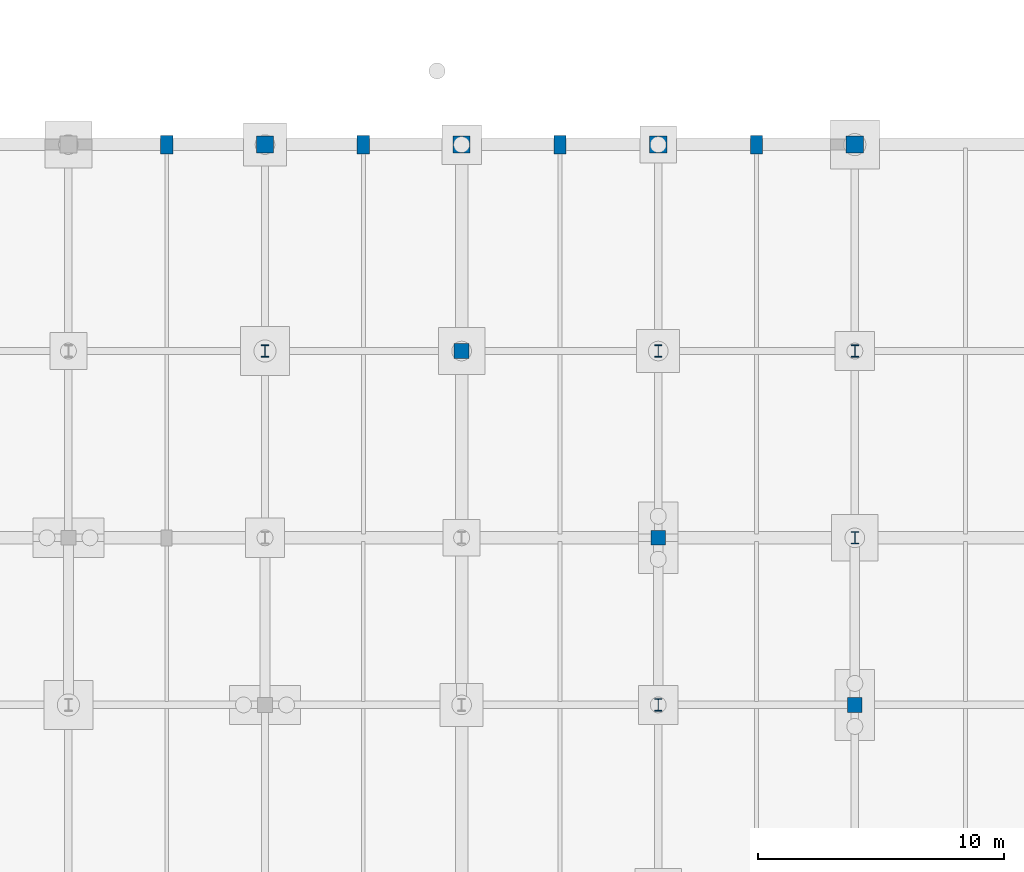
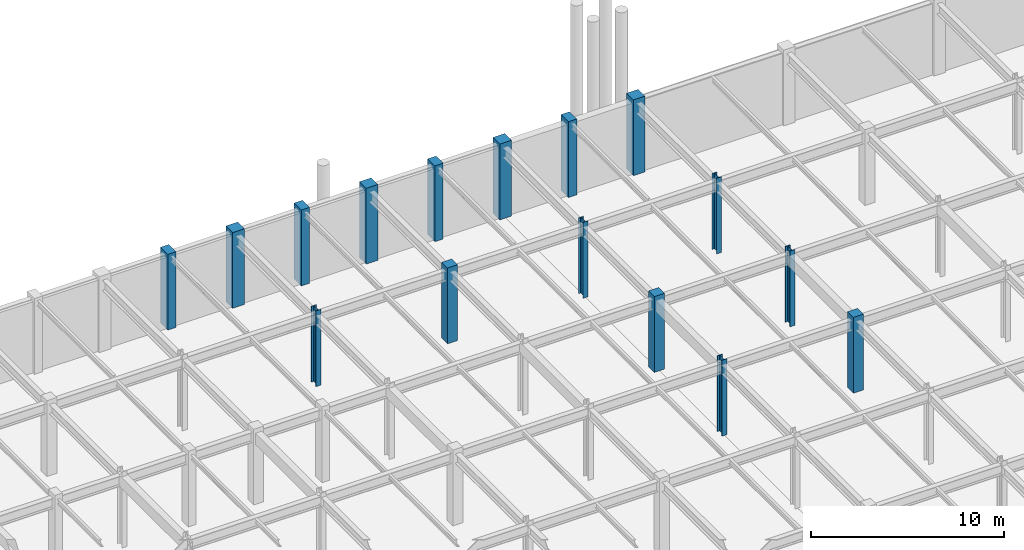
# One storey, part 24 of 53: 16 columns.
"""IFC4 building model written with IfcOpenShell, lengths in metres."""

import ifcopenshell
import ifcopenshell.guid

model = None  # the IFC model being written
_history = None  # IfcOwnerHistory: only IFC2X3 demands one
_inside = {}  # id of a spatial element -> (the spatial element, [elements in it])
_under = {}  # id of a project, library or spatial element -> (it, [spatial elements below it])
_declared = {}  # id of a project -> (the project, [libraries it declares])
_typed = {}  # id of a type object -> (the type object, [elements of that type])
_made_of = {}  # id of a material, layer set ... -> (it, [elements and type objects made of it])


def new_model(schema):
    """Start an empty IFC model of exactly this schema.

    Asked for "IFC4X3", IfcOpenShell would pick the latest addendum, in which some entities
    have other attributes; the version numbers below select the first issue.
    IFC2X3 requires an IfcOwnerHistory on every rooted entity: one is made here for all.
    """
    global model, _history
    if schema == "IFC4X3":
        model = ifcopenshell.file(schema_version=(4, 3, 0, 0))
    else:
        model = ifcopenshell.file(schema=schema)
    _inside.clear()
    _under.clear()
    _declared.clear()
    _typed.clear()
    _made_of.clear()
    _history = None
    if model.schema == "IFC2X3":
        org = make("IfcOrganization", Name="unknown")
        user = make(
            "IfcPersonAndOrganization",
            ThePerson=make("IfcPerson", FamilyName="unknown"),
            TheOrganization=org,
        )
        app = make(
            "IfcApplication",
            ApplicationDeveloper=org,
            Version="unknown",
            ApplicationFullName="unknown",
            ApplicationIdentifier="unknown",
        )
        _history = make(
            "IfcOwnerHistory",
            OwningUser=user,
            OwningApplication=app,
            ChangeAction="ADDED",
            CreationDate=0,
        )
    return model


def make(cls, **values):
    """One entity of the class cls with the attributes given. An attribute that is None is left unset."""
    return model.create_entity(
        cls, **{name: value for name, value in values.items() if value is not None}
    )


def rooted(cls, **values):
    """An entity with a GlobalId (a new one), such as an element, a storey or a relation."""
    return make(cls, GlobalId=ifcopenshell.guid.new(), OwnerHistory=_history, **values)


def si_unit(unit_type, name, prefix=None):
    """IfcSIUnit, for example si_unit("LENGTHUNIT", "METRE", prefix="MILLI")."""
    return make("IfcSIUnit", UnitType=unit_type, Prefix=prefix, Name=name)


def assignment(units):
    """IfcUnitAssignment: the units of a project."""
    return None if units is None else make("IfcUnitAssignment", Units=units)


def point(xyz):
    """IfcCartesianPoint."""
    return None if xyz is None else make("IfcCartesianPoint", Coordinates=xyz)


def direction(xyz):
    """IfcDirection."""
    return None if xyz is None else make("IfcDirection", DirectionRatios=xyz)


def frame(location, z_axis=None, x_axis=None):
    """IfcAxis2Placement3D, a coordinate frame: its origin and axes. An axis left out is left unset."""
    return make(
        "IfcAxis2Placement3D",
        Location=point(location),
        Axis=direction(z_axis),
        RefDirection=direction(x_axis),
    )


def frame_2d(location, x_axis=None):
    """IfcAxis2Placement2D, a coordinate frame in the plane: its origin and x axis."""
    return make(
        "IfcAxis2Placement2D", Location=point(location), RefDirection=direction(x_axis)
    )


def origin():
    """The frame at (0, 0, 0) with its axes left unset."""
    return frame((0.0, 0.0, 0.0))


def origin_2d():
    """The frame at (0, 0) in the plane with its x axis left unset."""
    return frame_2d((0.0, 0.0))


def place(relative_to, where):
    """IfcLocalPlacement: puts the frame where relative to a parent placement (None: the world)."""
    return make(
        "IfcLocalPlacement", PlacementRelTo=relative_to, RelativePlacement=where
    )


def context(
    kind, dimensions, precision=None, world=None, true_north=None, identifier=None
):
    """IfcGeometricRepresentationContext, for example the 3D "Model" context."""
    return make(
        "IfcGeometricRepresentationContext",
        ContextIdentifier=identifier,
        ContextType=kind,
        CoordinateSpaceDimension=dimensions,
        Precision=precision,
        WorldCoordinateSystem=world,
        TrueNorth=true_north,
    )


def subcontext(parent, identifier, kind, view, scale=None):
    """IfcGeometricRepresentationSubContext, for example "Body" below "Model"."""
    return make(
        "IfcGeometricRepresentationSubContext",
        ContextIdentifier=identifier,
        ContextType=kind,
        ParentContext=parent,
        TargetScale=scale,
        TargetView=view,
    )


def project(units=None, contexts=None):
    """IfcProject with its units and contexts."""
    return rooted(
        "IfcProject",
        Name="project",
        RepresentationContexts=contexts,
        UnitsInContext=assignment(units),
    )


def spatial(cls, under=None, at=None, **own):
    """A site, building, storey or space (cls), placed at a placement, below another one or the project."""
    s = rooted(cls, ObjectPlacement=at, **own)
    if under is not None:
        _under.setdefault(under.id(), (under, []))[1].append(s)
    return s


def profile(cls, at=None, kind="AREA", **sizes):
    """A parametric profile (cls). Its sizes go by their IFC names, for example OverallWidth=200.0."""
    return make(cls, ProfileType=kind, Position=at, **sizes)


def rectangle(**sizes):
    """IfcRectangleProfileDef."""
    return profile("IfcRectangleProfileDef", **sizes)


def i_section(**sizes):
    """IfcIShapeProfileDef."""
    return profile("IfcIShapeProfileDef", **sizes)


def extrude(swept, where, along, depth):
    """IfcExtrudedAreaSolid: the profile swept, set in the frame where, extruded along a direction by depth."""
    return make(
        "IfcExtrudedAreaSolid",
        SweptArea=swept,
        Position=where,
        ExtrudedDirection=direction(along),
        Depth=depth,
    )


def shape(context_of_items, identifier, shape_type, items):
    """IfcShapeRepresentation: the items that make up one representation, for example the "Body"."""
    return make(
        "IfcShapeRepresentation",
        ContextOfItems=context_of_items,
        RepresentationIdentifier=identifier,
        RepresentationType=shape_type,
        Items=items,
    )


def material(Name=None, Category=None):
    """IfcMaterial."""
    return make("IfcMaterial", Name=Name, Category=Category)


def material_profile(
    of_material, cross_section, Name=None, Category=None, Priority=None
):
    """IfcMaterialProfile: a cross section and its material."""
    return make(
        "IfcMaterialProfile",
        Name=Name,
        Material=of_material,
        Profile=cross_section,
        Priority=Priority,
        Category=Category,
    )


def profile_set(profiles, Name=None, composite=None):
    """IfcMaterialProfileSet."""
    return make(
        "IfcMaterialProfileSet",
        Name=Name,
        MaterialProfiles=profiles,
        CompositeProfile=composite,
    )


def made_of(thing, what):
    """Note that an element or type object is made of a material, layer set ...; save() writes the relation."""
    if what is not None:
        _made_of.setdefault(what.id(), (what, []))[1].append(thing)
    return thing


def type_object(cls, material=None, **own):
    """A type object (cls), such as IfcWallType, which elements share."""
    return made_of(rooted(cls, **own), material)


def element(
    cls,
    number,
    at=None,
    inside=None,
    cuts=None,
    type_object=None,
    material=None,
    context=None,
    identifier="Body",
    shape_type=None,
    held_by="IfcProductDefinitionShape",
    body=None,
    shapes=None,
    **own,
):
    """One element of the class cls, such as IfcWall. Its Tag is "e" and its number.

    at: its placement. inside: the storey or other place that contains it. cuts: it is an
    opening in that element (IfcRelVoidsElement). A single representation is given by context,
    identifier, shape_type and body (its items); several are given by shapes. held_by: the class
    of the entity that holds the representations. save() writes the other relations.
    """
    e = rooted(cls, Tag="e%d" % number, ObjectPlacement=at, **own)
    if body is not None:
        shapes = [shape(context, identifier, shape_type, body)]
    if shapes is not None:
        e.Representation = make(held_by, Representations=shapes)
    if inside is not None:
        _inside.setdefault(inside.id(), (inside, []))[1].append(e)
    if cuts is not None:
        rooted(
            "IfcRelVoidsElement", RelatingBuildingElement=cuts, RelatedOpeningElement=e
        )
    if type_object is not None:
        _typed.setdefault(type_object.id(), (type_object, []))[1].append(e)
    return made_of(e, material)


def aggregate(whole, parts):
    """IfcRelAggregates: a whole, such as a stair, and the parts it consists of."""
    return rooted("IfcRelAggregates", RelatingObject=whole, RelatedObjects=parts)


def save(model, path):
    """Write the relations noted so far, then the file.

    IfcRelAggregates (storeys below a building ...), IfcRelContainedInSpatialStructure (elements
    in a storey), IfcRelDefinesByType, IfcRelAssociatesMaterial and IfcRelDeclares: one each for
    every whole, place, type object, material and project.
    """
    for whole, parts in _under.values():
        aggregate(whole, parts)
    for where, things in _inside.values():
        rooted(
            "IfcRelContainedInSpatialStructure",
            RelatedElements=things,
            RelatingStructure=where,
        )
    for kind, things in _typed.values():
        rooted("IfcRelDefinesByType", RelatedObjects=things, RelatingType=kind)
    for what, things in _made_of.values():
        rooted("IfcRelAssociatesMaterial", RelatedObjects=things, RelatingMaterial=what)
    for by, libraries in _declared.values():
        rooted("IfcRelDeclares", RelatingContext=by, RelatedDefinitions=libraries)
    model.write(path)


model = new_model("IFC4")

# Units and contexts
model_context = context("Model", 3, precision=1e-05, world=origin(), true_north=direction((0.0, 1.0)))
body_context = subcontext(model_context, "Body", "Model", "MODEL_VIEW")
ifc_project = project(units=[si_unit("LENGTHUNIT", "METRE"), si_unit("AREAUNIT", "SQUARE_METRE"), si_unit("VOLUMEUNIT", "CUBIC_METRE"), si_unit("PLANEANGLEUNIT", "RADIAN"), si_unit("MASSUNIT", "GRAM", prefix="KILO")], contexts=[model_context])

# Site, building, storey
site_placement = place(None, origin())
site = spatial("IfcSite", under=ifc_project, at=site_placement, CompositionType="ELEMENT")
building_placement = place(site_placement, origin())
building = spatial("IfcBuilding", under=site, at=building_placement, Name="Shalkamar Park Central Library", CompositionType="ELEMENT")
storey_placement = place(building_placement, frame((0.0, 0.0, -4.800048828125)))
storey = spatial("IfcBuildingStorey", under=building, at=storey_placement, Name="B1", CompositionType="ELEMENT", Elevation=-4.800048828125)

# Columns
ifc_material_1 = material(Name="Concrete C40/50", Category="concrete")
ifc_material_profile_1 = material_profile(ifc_material_1, rectangle(XDim=0.60009765625, YDim=0.60009765625, at=origin_2d()), Name="RC 600x600")
ifc_profile_set_1 = profile_set([ifc_material_profile_1], Name="Concrete C40/50")
column_type_1 = type_object("IfcColumnType", Name="Column Concrete RC600", PredefinedType="COLUMN", material=ifc_profile_set_1)
for number, where, z_axis, x_axis, name in (
    (1, (221.0, 345.60009765625, 0.0), (0.0, 0.0, 1.0), (1.0, 0.0, 0.0), "Column 14/Q (B1)"),
    (2, (229.0, 338.0, 0.0), (0.0, 0.0, 1.0), (1.0, 0.0, 0.0), "Column 15/P (B1)"),
    (3, (237.0, 331.199951171875, 0.0), (0.0, 0.0, 1.0), (1.0, 0.0, 0.0), "Column 16/N (B1)"),
):
    element("IfcColumn", number, at=place(storey_placement, frame(where, z_axis=z_axis, x_axis=x_axis)), inside=storey, type_object=column_type_1, Name=name, PredefinedType="COLUMN", context=body_context, shape_type="SweptSolid", body=[
        extrude(rectangle(XDim=0.60009765625, YDim=0.60009765625, at=origin_2d()), origin(), (0.0, 0.0, 1.0), 4.800048828125),
    ])
ifc_material_profile_2 = material_profile(ifc_material_1, rectangle(XDim=0.699951171875, YDim=0.699951171875, at=origin_2d()), Name="RC 700x700")
ifc_profile_set_2 = profile_set([ifc_material_profile_2], Name="Concrete C40/50")
column_type_2 = type_object("IfcColumnType", Name="Column Concrete RC700", PredefinedType="COLUMN", material=ifc_profile_set_2)
for number, where, z_axis, x_axis, name in (
    (4, (213.0, 354.0, 0.0), (0.0, 0.0, 1.0), (1.0, 0.0, 0.0), "Column 13/R (B1)"),
    (5, (221.0, 354.0, 0.0), (0.0, 0.0, 1.0), (1.0, 0.0, 0.0), "Column 14/R (B1)"),
    (6, (229.0, 354.0, 0.0), (0.0, 0.0, 1.0), (1.0, 0.0, 0.0), "Column 15/R (B1)"),
    (7, (237.0, 354.0, 0.0), (0.0, 0.0, 1.0), (1.0, 0.0, 0.0), "Column 16/R (B1)"),
):
    element("IfcColumn", number, at=place(storey_placement, frame(where, z_axis=z_axis, x_axis=x_axis)), inside=storey, type_object=column_type_2, Name=name, PredefinedType="COLUMN", context=body_context, shape_type="SweptSolid", body=[
        extrude(rectangle(XDim=0.699951171875, YDim=0.699951171875, at=origin_2d()), origin(), (0.0, 0.0, 1.0), 4.800048828125),
    ])
ifc_material_2 = material(Name="Steel S355", Category="steel")
ifc_material_profile_3 = material_profile(ifc_material_2, i_section(OverallWidth=0.300048828125, OverallDepth=0.5, WebThickness=0.014404296875, FlangeThickness=0.028076171875, FilletRadius=0.027099609375, at=origin_2d()), Name="HEB 500")
ifc_profile_set_3 = profile_set([ifc_material_profile_3], Name="Steel S355")
column_type_3 = type_object("IfcColumnType", Name="Column Steel HEB500", PredefinedType="COLUMN", material=ifc_profile_set_3)
for number, where, z_axis, x_axis, name in (
    (8, (213.0, 345.60009765625, 0.0), (0.0, 0.0, 1.0), (1.0, 0.0, 0.0), "Column 13/Q (B1)"),
    (9, (229.0, 331.199951171875, 0.0), (0.0, 0.0, 1.0), (1.0, 0.0, 0.0), "Column 15/N (B1)"),
    (10, (229.0, 345.60009765625, 0.0), (0.0, 0.0, 1.0), (1.0, 0.0, 0.0), "Column 15/Q (B1)"),
    (11, (237.0, 338.0, 0.0), (0.0, 0.0, 1.0), (1.0, 0.0, 0.0), "Column 16/P (B1)"),
    (12, (237.0, 345.60009765625, 0.0), (0.0, 0.0, 1.0), (1.0, 0.0, 0.0), "Column 16/Q (B1)"),
):
    element("IfcColumn", number, at=place(storey_placement, frame(where, z_axis=z_axis, x_axis=x_axis)), inside=storey, type_object=column_type_3, Name=name, PredefinedType="COLUMN", context=body_context, shape_type="SweptSolid", body=[
        extrude(i_section(OverallWidth=0.300048828125, OverallDepth=0.5, WebThickness=0.014404296875, FlangeThickness=0.028076171875, FilletRadius=0.027099609375, at=origin_2d()), origin(), (0.0, 0.0, 1.0), 4.800048828125),
    ])
ifc_material_profile_4 = material_profile(ifc_material_1, rectangle(XDim=0.5, YDim=0.75, at=origin_2d()), Name="RC 500x750")
ifc_profile_set_4 = profile_set([ifc_material_profile_4], Name="Concrete C40/50")
column_type_4 = type_object("IfcColumnType", Name="Engaged Pilaster RC500x750", PredefinedType="PILASTER", material=ifc_profile_set_4)
for number, where, z_axis, x_axis, name in (
    (13, (209.0, 354.0, 0.0), (0.0, 0.0, 1.0), (1.0, 0.0, 0.0), "Park Proscenium Pilaster R-11 (B1)"),
    (14, (217.0, 354.0, 0.0), (0.0, 0.0, 1.0), (1.0, 0.0, 0.0), "Park Proscenium Pilaster R-12 (B1)"),
    (15, (225.0, 354.0, 0.0), (0.0, 0.0, 1.0), (1.0, 0.0, 0.0), "Park Proscenium Pilaster R-13 (B1)"),
    (16, (233.0, 354.0, 0.0), (0.0, 0.0, 1.0), (1.0, 0.0, 0.0), "Park Proscenium Pilaster R-14 (B1)"),
):
    element("IfcColumn", number, at=place(storey_placement, frame(where, z_axis=z_axis, x_axis=x_axis)), inside=storey, type_object=column_type_4, Name=name, PredefinedType="PILASTER", context=body_context, shape_type="SweptSolid", body=[
        extrude(rectangle(XDim=0.5, YDim=0.75, at=origin_2d()), origin(), (0.0, 0.0, 1.0), 4.800048828125),
    ])

save(model, "model.ifc")
